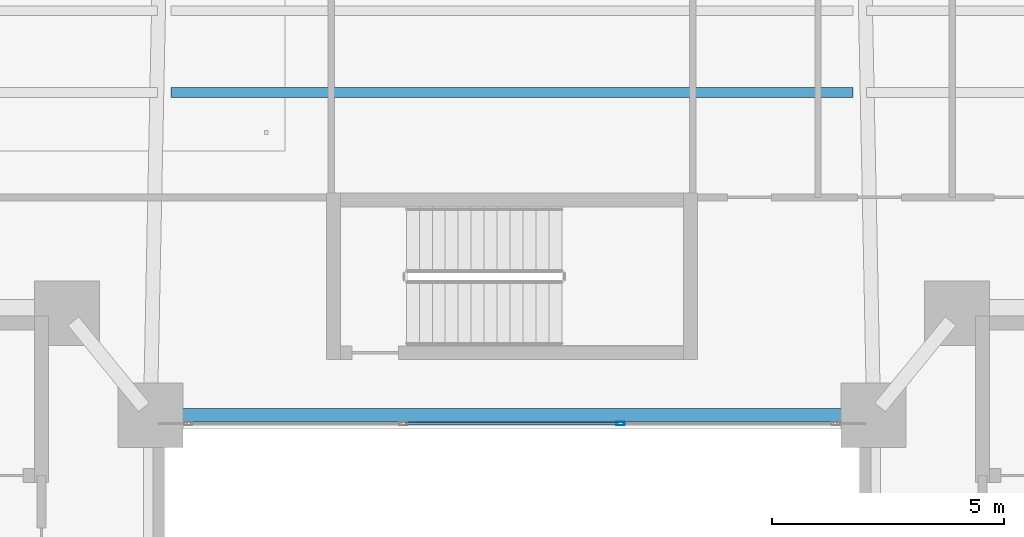
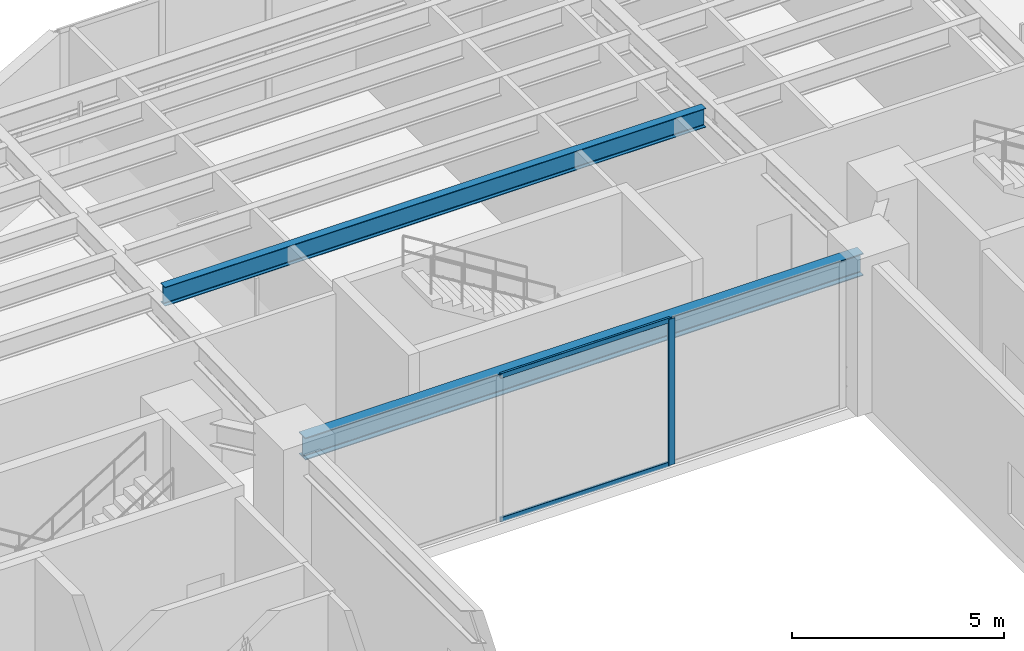
# One storey, part 21 of 40: 3 members, 2 beams, 1 element without a shape of its own.
"""IFC4 building model written with IfcOpenShell, lengths in metres."""

from ifc_helpers import new_model, si_unit, direction, frame, origin, origin_2d, place, context, subcontext, project, spatial, hollow_rectangle, i_section, extrude, material, layer, layer_set, material_profile, profile_set, type_object, element, aggregate, save


model = new_model("IFC4")

# Units and contexts
model_context = context("Model", 3, precision=1e-05, world=origin(), true_north=direction((0.0, 1.0)))
body_context = subcontext(model_context, "Body", "Model", "MODEL_VIEW")
ifc_project = project(units=[si_unit("LENGTHUNIT", "METRE"), si_unit("AREAUNIT", "SQUARE_METRE"), si_unit("VOLUMEUNIT", "CUBIC_METRE"), si_unit("PLANEANGLEUNIT", "RADIAN"), si_unit("MASSUNIT", "GRAM", prefix="KILO")], contexts=[model_context])

# Site, building, storey
site_placement = place(None, origin())
site = spatial("IfcSite", under=ifc_project, at=site_placement, CompositionType="ELEMENT")
building_placement = place(site_placement, origin())
building = spatial("IfcBuilding", under=site, at=building_placement, Name="Tarnavaz Court Tower", CompositionType="ELEMENT")
storey_placement = place(building_placement, frame((0.0, 0.0, 64.199951171875)))
storey = spatial("IfcBuildingStorey", under=building, at=storey_placement, Name="L17", CompositionType="ELEMENT", Elevation=64.199951171875)

# Beams
ifc_material_1 = material(Name="Steel S355", Category="steel")
ifc_material_profile_1 = material_profile(ifc_material_1, i_section(OverallWidth=0.2099609375, OverallDepth=0.550048828125, WebThickness=0.010986328125, FlangeThickness=0.01708984375, FilletRadius=0.02392578125, at=origin_2d()), Name="IPE 550")
ifc_profile_set_1 = profile_set([ifc_material_profile_1], Name="Steel S355")
beam_type_1 = type_object("IfcBeamType", Name="BM-J-IPE550", PredefinedType="JOIST", material=ifc_profile_set_1)
beam_1_placement = place(storey_placement, frame((-7.35009765625, 14.763916015625, 3.925048828125), z_axis=(1.0, 0.0, 0.0), x_axis=(0.0, 1.0, 0.0)))
element("IfcBeam", 1, at=beam_1_placement, inside=storey, type_object=beam_type_1, Name="L17 Beam JN1-2", PredefinedType="JOIST", context=body_context, shape_type="SweptSolid", body=[
    extrude(i_section(OverallWidth=0.2099609375, OverallDepth=0.550048828125, WebThickness=0.010986328125, FlangeThickness=0.01708984375, FilletRadius=0.02392578125, at=origin_2d()), origin(), (0.0, 0.0, 1.0), 14.7001953125),
])
ifc_material_profile_2 = material_profile(ifc_material_1, i_section(OverallWidth=0.300048828125, OverallDepth=0.639892578125, WebThickness=0.013427734375, FlangeThickness=0.02587890625, FilletRadius=0.027099609375, at=origin_2d()), Name="HEA 650")
ifc_profile_set_2 = profile_set([ifc_material_profile_2], Name="Steel S355")
beam_type_2 = type_object("IfcBeamType", Name="BM-SP-HEA650", PredefinedType="SPANDREL", material=ifc_profile_set_2)
beam_2_placement = place(storey_placement, frame((-7.580078125, 7.800048828125, 3.880126953125), z_axis=(1.0, 0.0, 0.0), x_axis=(0.0, 1.0, 0.0)))
element("IfcBeam", 2, at=beam_2_placement, inside=storey, type_object=beam_type_2, Name="L17 Beam IN-IW-NW-IW-NE", PredefinedType="SPANDREL", context=body_context, shape_type="SweptSolid", body=[
    extrude(i_section(OverallWidth=0.300048828125, OverallDepth=0.639892578125, WebThickness=0.013427734375, FlangeThickness=0.02587890625, FilletRadius=0.027099609375, at=origin_2d()), origin(), (0.0, 0.0, 1.0), 15.16015625),
])

# Curtain wall, members
ifc_material_2 = material(Name="Anodised Aluminium 6063-T6 and Solar Low-E Glazing", Category="aluminium")
ifc_layer = layer(ifc_material_2, 0.139892578125)
ifc_layer_set = layer_set([ifc_layer], Name="Anodised Aluminium 6063-T6 and Solar Low-E Glazing")
curtain_wall_type = type_object("IfcCurtainWallType", Name="CW-SYS-04", PredefinedType="NOTDEFINED", material=ifc_layer_set)
curtain_wall_placement = place(storey_placement, origin())
curtain_wall = element("IfcCurtainWall", 3, at=curtain_wall_placement, inside=storey, type_object=curtain_wall_type, Name="L17 Badgir Courtyard Curtain Wall N", PredefinedType="NOTDEFINED")
ifc_material_3 = material(Name="Anodised Aluminium 6063-T6", Category="aluminium")
ifc_material_profile_3 = material_profile(ifc_material_3, hollow_rectangle(XDim=0.074951171875, YDim=0.179931640625, WallThickness=0.0048828125, InnerFilletRadius=0.0048828125, OuterFilletRadius=0.010009765625, at=origin_2d()), Name="ALU RHS 180X75X5")
ifc_profile_set_3 = profile_set([ifc_material_profile_3], Name="Anodised Aluminium 6063-T6")
member_type_1 = type_object("IfcMemberType", Name="CW-MUL-180", PredefinedType="MULLION", material=ifc_profile_set_3)
member_1_placement = place(storey_placement, frame((2.340087890625, 7.6201171875, 0.0), z_axis=(0.0, 0.0, 1.0), x_axis=(0.0, -1.0, 0.0)))
member_1 = element("IfcMember", 4, at=member_1_placement, type_object=member_type_1, Name="CW mullion 2", PredefinedType="MULLION", context=body_context, shape_type="SweptSolid", body=[
    extrude(hollow_rectangle(XDim=0.074951171875, YDim=0.179931640625, WallThickness=0.0048828125, InnerFilletRadius=0.0048828125, OuterFilletRadius=0.010009765625, at=origin_2d()), origin(), (0.0, 0.0, 1.0), 4.199951171875),
])
ifc_material_profile_4 = material_profile(ifc_material_3, hollow_rectangle(XDim=0.06494140625, YDim=0.139892578125, WallThickness=0.00390625, InnerFilletRadius=0.00390625, OuterFilletRadius=0.008056640625, at=origin_2d()), Name="ALU RHS 140X65X4")
ifc_profile_set_4 = profile_set([ifc_material_profile_4], Name="Anodised Aluminium 6063-T6")
member_type_2 = type_object("IfcMemberType", Name="CW-TRN-140", PredefinedType="USERDEFINED", material=ifc_profile_set_4)
member_2_placement = place(storey_placement, frame((2.302490234375, 7.6201171875, 0.032470703125), z_axis=(-1.0, 0.0, 0.0), x_axis=(0.0, -1.0, 0.0)))
member_2 = element("IfcMember", 5, at=member_2_placement, type_object=member_type_2, Name="CW transom 2.1", ObjectType="TRANSOM", PredefinedType="USERDEFINED", context=body_context, shape_type="SweptSolid", body=[
    extrude(hollow_rectangle(XDim=0.06494140625, YDim=0.139892578125, WallThickness=0.00390625, InnerFilletRadius=0.00390625, OuterFilletRadius=0.008056640625, at=origin_2d()), origin(), (0.0, 0.0, 1.0), 4.60498046875),
])
member_3_placement = place(storey_placement, frame((2.302490234375, 7.6201171875, 4.16748046875), z_axis=(-1.0, 0.0, 0.0), x_axis=(0.0, -1.0, 0.0)))
member_3 = element("IfcMember", 6, at=member_3_placement, type_object=member_type_2, Name="CW transom 2.2", ObjectType="TRANSOM", PredefinedType="USERDEFINED", context=body_context, shape_type="SweptSolid", body=[
    extrude(hollow_rectangle(XDim=0.06494140625, YDim=0.139892578125, WallThickness=0.00390625, InnerFilletRadius=0.00390625, OuterFilletRadius=0.008056640625, at=origin_2d()), origin(), (0.0, 0.0, 1.0), 4.60498046875),
])
aggregate(curtain_wall, [member_1, member_2, member_3])

save(model, "model.ifc")
